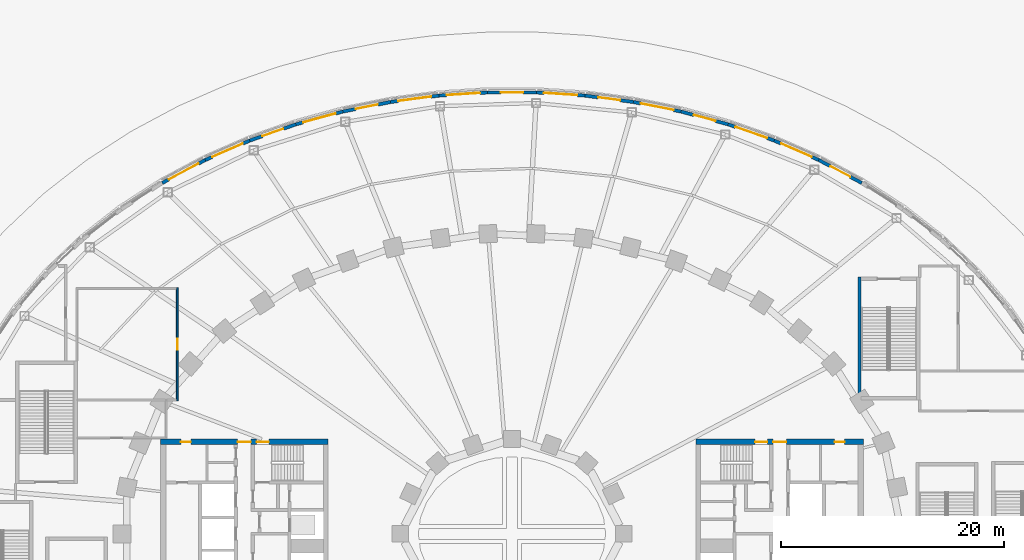
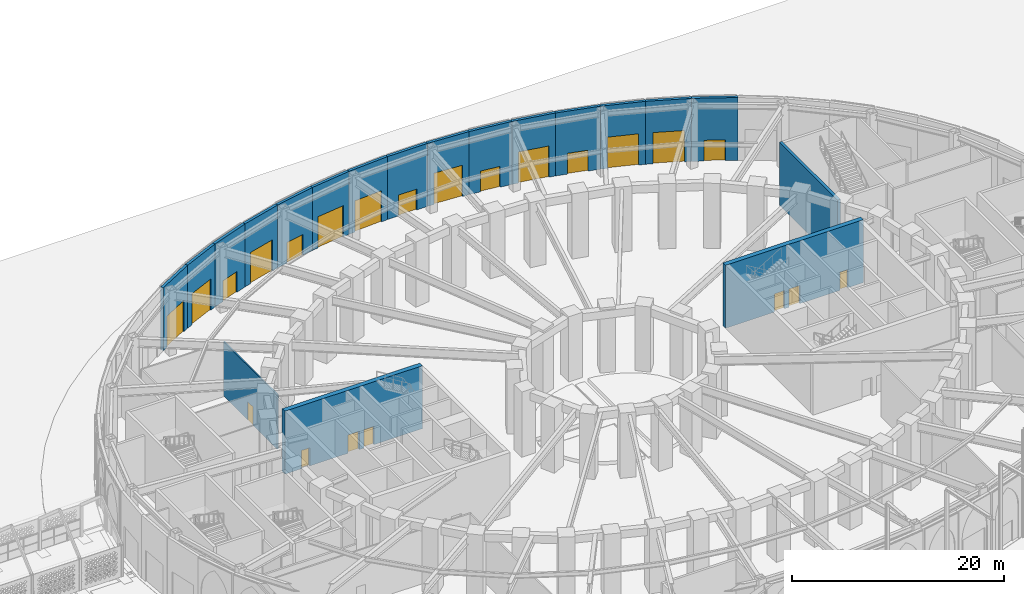
# One storey, part 47 of 79: 19 walls, 13 doors, 9 windows, 22 openings.
"""IFC4 building model written with IfcOpenShell, lengths in metres."""

from ifc_helpers import new_model, si_unit, direction, frame, frame_2d, origin, place, context, subcontext, project, spatial, rectangle, extrude, material, layer, layer_set, type_object, element, fill, save


model = new_model("IFC4")

# Units and contexts
model_context = context("Model", 3, precision=1e-05, world=origin(), true_north=direction((0.0, 1.0)))
body_context = subcontext(model_context, "Body", "Model", "MODEL_VIEW")
ifc_project = project(units=[si_unit("LENGTHUNIT", "METRE"), si_unit("AREAUNIT", "SQUARE_METRE"), si_unit("VOLUMEUNIT", "CUBIC_METRE"), si_unit("PLANEANGLEUNIT", "RADIAN"), si_unit("MASSUNIT", "GRAM", prefix="KILO")], contexts=[model_context])

# Site, building, storey
site_placement = place(None, origin())
site = spatial("IfcSite", under=ifc_project, at=site_placement, CompositionType="ELEMENT")
building_placement = place(site_placement, origin())
building = spatial("IfcBuilding", under=site, at=building_placement, Name="Noorbagh Ring Tower", CompositionType="ELEMENT")
storey_placement = place(building_placement, origin())
storey = spatial("IfcBuildingStorey", under=building, at=storey_placement, Name="L00", CompositionType="ELEMENT", Elevation=0.0)

# Wall, openings, doors
ifc_material_1 = material(Name="Concrete C70/85", Category="concrete")
ifc_layer_1 = layer(ifc_material_1, 0.5)
ifc_layer_set_1 = layer_set([ifc_layer_1], Name="Concrete C70/85")
wall_type_1 = type_object("IfcWallType", Name="CORE-WALL-500-C70-85-EI240", PredefinedType="SHEAR", material=ifc_layer_set_1)
wall_1_placement = place(storey_placement, frame((-16.5, 8.25, 0.0), z_axis=(0.0, 0.0, 1.0), x_axis=(-1.0, 0.0, 0.0)))
wall_1 = element("IfcWall", 1, at=wall_1_placement, inside=storey, type_object=wall_type_1, Name="Core wall W", PredefinedType="SHEAR", context=body_context, shape_type="SweptSolid", body=[
    extrude(rectangle(XDim=15.0, YDim=0.5, at=frame_2d((7.5, 0.0))), origin(), (0.0, 0.0, 1.0), 7.25),
])
opening_1_placement = place(wall_1_placement, frame((6.89990234375, 0.0, 0.0)))
opening_1 = element("IfcOpeningElement", 2, at=opening_1_placement, cuts=wall_1, Name="Opening L00-CW11", PredefinedType="OPENING", context=body_context, shape_type="SweptSolid", body=[
    extrude(rectangle(XDim=1.199951171875, YDim=2.10009765625, at=frame_2d((0.60009765625, 1.050048828125))), frame((0.0, 0.260009765625, 0.0), z_axis=(0.0, -1.0, 0.0), x_axis=(1.0, 0.0, 0.0)), (0.0, 0.0, 1.0), 0.52001953125),
])
opening_2_placement = place(wall_1_placement, frame((5.300048828125, 0.0, 0.0)))
opening_2 = element("IfcOpeningElement", 3, at=opening_2_placement, cuts=wall_1, Name="Opening L00-CW13", PredefinedType="OPENING", context=body_context, shape_type="SweptSolid", body=[
    extrude(rectangle(XDim=1.10009765625, YDim=2.10009765625, at=frame_2d((0.550048828125, 1.050048828125))), frame((0.0, 0.260009765625, 0.0), z_axis=(0.0, -1.0, 0.0), x_axis=(1.0, 0.0, 0.0)), (0.0, 0.0, 1.0), 0.52001953125),
])
opening_3_placement = place(wall_1_placement, frame((12.27490234375, 0.0, 0.0)))
opening_3 = element("IfcOpeningElement", 4, at=opening_3_placement, cuts=wall_1, Name="Opening L00-CW18", PredefinedType="OPENING", context=body_context, shape_type="SweptSolid", body=[
    extrude(rectangle(XDim=0.89990234375, YDim=2.10009765625, at=frame_2d((0.449951171875, 1.050048828125))), frame((0.0, 0.260009765625, 0.0), z_axis=(0.0, -1.0, 0.0), x_axis=(1.0, 0.0, 0.0)), (0.0, 0.0, 1.0), 0.52001953125),
])
ifc_material_2 = material(Name="Steel door leaf", Category="steel")
door_type_1 = type_object("IfcDoorType", Name="CORE-DOOR-DEXIT", OperationType="SINGLE_SWING_LEFT", PredefinedType="DOOR", material=ifc_material_2)
door_1_placement = place(opening_2_placement, origin())
door_1 = element("IfcDoor", 5, at=door_1_placement, inside=storey, type_object=door_type_1, Name="Exit ST1 L00-CW13", OperationType="SINGLE_SWING_LEFT", OverallHeight=2.10009765625, OverallWidth=1.10009765625, PredefinedType="DOOR", context=body_context, shape_type="SweptSolid", body=[
    extrude(rectangle(XDim=1.10009765625, YDim=2.10009765625, at=frame_2d((0.550048828125, 1.050048828125))), frame((0.0, 0.02490234375, 0.0), z_axis=(0.0, -1.0, 0.0), x_axis=(1.0, 0.0, 0.0)), (0.0, 0.0, 1.0), 0.050048828125),
])
fill(opening_2, door_1)
ifc_material_3 = material(Name="Steel door leaf", Category="steel")
door_type_2 = type_object("IfcDoorType", Name="CORE-DOOR-DROOM", OperationType="SINGLE_SWING_LEFT", PredefinedType="DOOR", material=ifc_material_3)
door_2_placement = place(opening_3_placement, origin())
door_2 = element("IfcDoor", 6, at=door_2_placement, inside=storey, type_object=door_type_2, Name="Core room door L00-CW18", OperationType="SINGLE_SWING_RIGHT", OverallHeight=2.10009765625, OverallWidth=0.89990234375, PredefinedType="DOOR", context=body_context, shape_type="SweptSolid", body=[
    extrude(rectangle(XDim=0.89990234375, YDim=2.10009765625, at=frame_2d((0.449951171875, 1.050048828125))), frame((0.0, 0.02490234375, 0.0), z_axis=(0.0, -1.0, 0.0), x_axis=(1.0, 0.0, 0.0)), (0.0, 0.0, 1.0), 0.050048828125),
])
fill(opening_3, door_2)
ifc_material_4 = material(Name="Steel door leaf", Category="steel")
door_type_3 = type_object("IfcDoorType", Name="CORE-DOOR-PORT", OperationType="DOUBLE_DOOR_DOUBLE_SWING", PredefinedType="DOOR", material=ifc_material_4)
door_3_placement = place(opening_1_placement, origin())
door_3 = element("IfcDoor", 7, at=door_3_placement, inside=storey, type_object=door_type_3, Name="Core entrance door L00-CW11", OperationType="DOUBLE_DOOR_DOUBLE_SWING", OverallHeight=2.10009765625, OverallWidth=1.199951171875, PredefinedType="DOOR", context=body_context, shape_type="SweptSolid", body=[
    extrude(rectangle(XDim=1.199951171875, YDim=2.10009765625, at=frame_2d((0.60009765625, 1.050048828125))), frame((0.0, 0.02490234375, 0.0), z_axis=(0.0, -1.0, 0.0), x_axis=(1.0, 0.0, 0.0)), (0.0, 0.0, 1.0), 0.050048828125),
])
fill(opening_1, door_3)

wall_2_placement = place(storey_placement, frame((16.5, 8.25, 0.0), z_axis=(0.0, 0.0, 1.0), x_axis=(1.0, 0.0, 0.0)))
wall_2 = element("IfcWall", 8, at=wall_2_placement, inside=storey, type_object=wall_type_1, Name="Core wall E", PredefinedType="SHEAR", context=body_context, shape_type="SweptSolid", body=[
    extrude(rectangle(XDim=15.0, YDim=0.5, at=frame_2d((7.5, 0.0))), origin(), (0.0, 0.0, 1.0), 7.25),
])
opening_4_placement = place(wall_2_placement, frame((6.89990234375, 0.0, 0.0)))
opening_4 = element("IfcOpeningElement", 9, at=opening_4_placement, cuts=wall_2, Name="Opening L00-CE09", PredefinedType="OPENING", context=body_context, shape_type="SweptSolid", body=[
    extrude(rectangle(XDim=1.199951171875, YDim=2.10009765625, at=frame_2d((0.60009765625, 1.050048828125))), frame((0.0, 0.260009765625, 0.0), z_axis=(0.0, -1.0, 0.0), x_axis=(1.0, 0.0, 0.0)), (0.0, 0.0, 1.0), 0.52001953125),
])
opening_5_placement = place(wall_2_placement, frame((5.300048828125, 0.0, 0.0)))
opening_5 = element("IfcOpeningElement", 10, at=opening_5_placement, cuts=wall_2, Name="Opening L00-CE11", PredefinedType="OPENING", context=body_context, shape_type="SweptSolid", body=[
    extrude(rectangle(XDim=1.10009765625, YDim=2.10009765625, at=frame_2d((0.550048828125, 1.050048828125))), frame((0.0, 0.260009765625, 0.0), z_axis=(0.0, -1.0, 0.0), x_axis=(1.0, 0.0, 0.0)), (0.0, 0.0, 1.0), 0.52001953125),
])
opening_6_placement = place(wall_2_placement, frame((12.425048828125, 0.0, 0.0)))
opening_6 = element("IfcOpeningElement", 11, at=opening_6_placement, cuts=wall_2, Name="Opening L00-CE17", PredefinedType="OPENING", context=body_context, shape_type="SweptSolid", body=[
    extrude(rectangle(XDim=0.89990234375, YDim=2.10009765625, at=frame_2d((0.449951171875, 1.050048828125))), frame((0.0, 0.260009765625, 0.0), z_axis=(0.0, -1.0, 0.0), x_axis=(1.0, 0.0, 0.0)), (0.0, 0.0, 1.0), 0.52001953125),
])
door_4_placement = place(opening_5_placement, origin())
door_4 = element("IfcDoor", 12, at=door_4_placement, inside=storey, type_object=door_type_1, Name="Exit ST3 L00-CE11", OperationType="SINGLE_SWING_RIGHT", OverallHeight=2.10009765625, OverallWidth=1.10009765625, PredefinedType="DOOR", context=body_context, shape_type="SweptSolid", body=[
    extrude(rectangle(XDim=1.10009765625, YDim=2.10009765625, at=frame_2d((0.550048828125, 1.050048828125))), frame((0.0, 0.02490234375, 0.0), z_axis=(0.0, -1.0, 0.0), x_axis=(1.0, 0.0, 0.0)), (0.0, 0.0, 1.0), 0.050048828125),
])
fill(opening_5, door_4)
door_5_placement = place(opening_6_placement, origin())
door_5 = element("IfcDoor", 13, at=door_5_placement, inside=storey, type_object=door_type_2, Name="Core room door L00-CE17", OperationType="SINGLE_SWING_LEFT", OverallHeight=2.10009765625, OverallWidth=0.89990234375, PredefinedType="DOOR", context=body_context, shape_type="SweptSolid", body=[
    extrude(rectangle(XDim=0.89990234375, YDim=2.10009765625, at=frame_2d((0.449951171875, 1.050048828125))), frame((0.0, 0.02490234375, 0.0), z_axis=(0.0, -1.0, 0.0), x_axis=(1.0, 0.0, 0.0)), (0.0, 0.0, 1.0), 0.050048828125),
])
fill(opening_6, door_5)
door_6_placement = place(opening_4_placement, origin())
door_6 = element("IfcDoor", 14, at=door_6_placement, inside=storey, type_object=door_type_3, Name="Core entrance door L00-CE09", OperationType="DOUBLE_DOOR_DOUBLE_SWING", OverallHeight=2.10009765625, OverallWidth=1.199951171875, PredefinedType="DOOR", context=body_context, shape_type="SweptSolid", body=[
    extrude(rectangle(XDim=1.199951171875, YDim=2.10009765625, at=frame_2d((0.60009765625, 1.050048828125))), frame((0.0, 0.02490234375, 0.0), z_axis=(0.0, -1.0, 0.0), x_axis=(1.0, 0.0, 0.0)), (0.0, 0.0, 1.0), 0.050048828125),
])
fill(opening_4, door_6)

# Wall, opening, door
ifc_material_5 = material(Name="Blockwork faced with red sandstone", Category="masonry")
ifc_layer_2 = layer(ifc_material_5, 0.300048828125)
ifc_layer_set_2 = layer_set([ifc_layer_2], Name="Blockwork faced with red sandstone")
wall_type_2 = type_object("IfcWallType", Name="GND-ENV-WALL", PredefinedType="SOLIDWALL", material=ifc_layer_set_2)
wall_3_placement = place(storey_placement, frame((31.3515625, 31.448486328125, 0.0), z_axis=(0.0, 0.0, 1.0), x_axis=(-0.882159305704, 0.47095112205, 0.0)))
wall_3 = element("IfcWall", 15, at=wall_3_placement, inside=storey, type_object=wall_type_2, Name="Podium wall", PredefinedType="SOLIDWALL", context=body_context, shape_type="SweptSolid", body=[
    extrude(rectangle(XDim=4.364501953125, YDim=0.300048828125, at=frame_2d((2.18212890625, 0.0))), origin(), (0.0, 0.0, 1.0), 7.25),
])
opening_7_placement = place(wall_3_placement, frame((1.18212890625, 0.0, 0.0)))
opening_7 = element("IfcOpeningElement", 16, at=opening_7_placement, cuts=wall_3, Name="Opening GD13", PredefinedType="OPENING", context=body_context, shape_type="SweptSolid", body=[
    extrude(rectangle(XDim=2.0, YDim=2.39990234375, at=frame_2d((1.0, 1.199951171875))), frame((0.0, 0.16015625, 0.0), z_axis=(0.0, -1.0, 0.0), x_axis=(1.0, 0.0, 0.0)), (0.0, 0.0, 1.0), 0.320068359375),
])
ifc_material_6 = material(Name="Aluminium and glass", Category="aluminium")
door_type_4 = type_object("IfcDoorType", Name="GND-DOOR-EXIT", OperationType="DOUBLE_DOOR_SINGLE_SWING", PredefinedType="DOOR", material=ifc_material_6)
door_7_placement = place(opening_7_placement, frame((2.0, 0.0, 0.0), z_axis=(0.0, 0.0, 1.0), x_axis=(-1.0, 0.0, 0.0)))
door_7 = element("IfcDoor", 17, at=door_7_placement, inside=storey, type_object=door_type_4, Name="Exit door FX05", OperationType="DOUBLE_DOOR_SINGLE_SWING", OverallHeight=2.39990234375, OverallWidth=2.0, PredefinedType="DOOR", context=body_context, shape_type="SweptSolid", body=[
    extrude(rectangle(XDim=2.0, YDim=2.39990234375, at=frame_2d((1.0, 1.199951171875))), frame((0.0, 0.025146484375, 0.0), z_axis=(0.0, -1.0, 0.0), x_axis=(1.0, 0.0, 0.0)), (0.0, 0.0, 1.0), 0.050048828125),
])
fill(opening_7, door_7)

# Wall, opening, window
wall_4_placement = place(storey_placement, frame((27.50146484375, 33.50390625, 0.0), z_axis=(0.0, 0.0, 1.0), x_axis=(-0.916336904548, 0.400408138483, 0.0)))
wall_4 = element("IfcWall", 18, at=wall_4_placement, inside=storey, type_object=wall_type_2, Name="Podium wall", PredefinedType="SOLIDWALL", context=body_context, shape_type="SweptSolid", body=[
    extrude(rectangle(XDim=4.3662109375, YDim=0.300048828125, at=frame_2d((2.18310546875, 0.0))), origin(), (0.0, 0.0, 1.0), 7.25),
])
opening_8_placement = place(wall_4_placement, frame((0.68310546875, 0.0, 0.0)))
opening_8 = element("IfcOpeningElement", 19, at=opening_8_placement, cuts=wall_4, Name="Opening GWN2", PredefinedType="OPENING", context=body_context, shape_type="SweptSolid", body=[
    extrude(rectangle(XDim=3.0, YDim=3.60009765625, at=frame_2d((1.5, 1.800048828125))), frame((0.0, 0.16015625, 0.0), z_axis=(0.0, -1.0, 0.0), x_axis=(1.0, 0.0, 0.0)), (0.0, 0.0, 1.0), 0.320068359375),
])
ifc_material_7 = material(Name="Aluminium and glass", Category="aluminium")
window_type = type_object("IfcWindowType", Name="GND-ENV-SHOPFRONT", PartitioningType="SINGLE_PANEL", PredefinedType="WINDOW", material=ifc_material_7)
window_1_placement = place(opening_8_placement, origin())
window_1 = element("IfcWindow", 20, at=window_1_placement, inside=storey, type_object=window_type, Name="L00 podium window", OverallHeight=3.60009765625, OverallWidth=3.0, PartitioningType="SINGLE_PANEL", PredefinedType="WINDOW", context=body_context, shape_type="SweptSolid", body=[
    extrude(rectangle(XDim=3.0, YDim=3.60009765625, at=frame_2d((1.5, 1.800048828125))), frame((0.0, 0.030029296875, 0.0), z_axis=(0.0, -1.0, 0.0), x_axis=(1.0, 0.0, 0.0)), (0.0, 0.0, 1.0), 0.06005859375),
])
fill(opening_8, window_1)

wall_5_placement = place(storey_placement, frame((23.50048828125, 35.252197265625, 0.0), z_axis=(0.0, 0.0, 1.0), x_axis=(-0.943526738033, 0.331296384853, 0.0)))
wall_5 = element("IfcWall", 21, at=wall_5_placement, inside=storey, type_object=wall_type_2, Name="Podium wall", PredefinedType="SOLIDWALL", context=body_context, shape_type="SweptSolid", body=[
    extrude(rectangle(XDim=4.36767578125, YDim=0.300048828125, at=frame_2d((2.183837890625, 0.0))), origin(), (0.0, 0.0, 1.0), 7.25),
])
opening_9_placement = place(wall_5_placement, frame((0.683837890625, 0.0, 0.0)))
opening_9 = element("IfcOpeningElement", 22, at=opening_9_placement, cuts=wall_5, Name="Opening GWN2", PredefinedType="OPENING", context=body_context, shape_type="SweptSolid", body=[
    extrude(rectangle(XDim=3.0, YDim=3.60009765625, at=frame_2d((1.5, 1.800048828125))), frame((0.0, 0.16015625, 0.0), z_axis=(0.0, -1.0, 0.0), x_axis=(1.0, 0.0, 0.0)), (0.0, 0.0, 1.0), 0.320068359375),
])
window_2_placement = place(opening_9_placement, origin())
window_2 = element("IfcWindow", 23, at=window_2_placement, inside=storey, type_object=window_type, Name="L00 podium window", OverallHeight=3.60009765625, OverallWidth=3.0, PartitioningType="SINGLE_PANEL", PredefinedType="WINDOW", context=body_context, shape_type="SweptSolid", body=[
    extrude(rectangle(XDim=3.0, YDim=3.60009765625, at=frame_2d((1.5, 1.800048828125))), frame((0.0, 0.030029296875, 0.0), z_axis=(0.0, -1.0, 0.0), x_axis=(1.0, 0.0, 0.0)), (0.0, 0.0, 1.0), 0.06005859375),
])
fill(opening_9, window_2)

# Wall, opening, door
wall_6_placement = place(storey_placement, frame((19.37939453125, 36.69921875, 0.0), z_axis=(0.0, 0.0, 1.0), x_axis=(-0.964679950239, 0.263424739931, 0.0)))
wall_6 = element("IfcWall", 24, at=wall_6_placement, inside=storey, type_object=wall_type_2, Name="Podium wall", PredefinedType="SOLIDWALL", context=body_context, shape_type="SweptSolid", body=[
    extrude(rectangle(XDim=4.368896484375, YDim=0.300048828125, at=frame_2d((2.1845703125, 0.0))), origin(), (0.0, 0.0, 1.0), 7.25),
])
opening_10_placement = place(wall_6_placement, frame((1.1845703125, 0.0, 0.0)))
opening_10 = element("IfcOpeningElement", 25, at=opening_10_placement, cuts=wall_6, Name="Opening GD13", PredefinedType="OPENING", context=body_context, shape_type="SweptSolid", body=[
    extrude(rectangle(XDim=2.0, YDim=2.39990234375, at=frame_2d((1.0, 1.199951171875))), frame((0.0, 0.16015625, 0.0), z_axis=(0.0, -1.0, 0.0), x_axis=(1.0, 0.0, 0.0)), (0.0, 0.0, 1.0), 0.320068359375),
])
door_8_placement = place(opening_10_placement, frame((2.0, 0.0, 0.0), z_axis=(0.0, 0.0, 1.0), x_axis=(-1.0, 0.0, 0.0)))
door_8 = element("IfcDoor", 26, at=door_8_placement, inside=storey, type_object=door_type_4, Name="Exit door FX06", OperationType="DOUBLE_DOOR_SINGLE_SWING", OverallHeight=2.39990234375, OverallWidth=2.0, PredefinedType="DOOR", context=body_context, shape_type="SweptSolid", body=[
    extrude(rectangle(XDim=2.0, YDim=2.39990234375, at=frame_2d((1.0, 1.199951171875))), frame((0.0, 0.025146484375, 0.0), z_axis=(0.0, -1.0, 0.0), x_axis=(1.0, 0.0, 0.0)), (0.0, 0.0, 1.0), 0.050048828125),
])
fill(opening_10, door_8)

# Wall, opening, window
wall_7_placement = place(storey_placement, frame((15.164794921875, 37.85009765625, 0.0), z_axis=(0.0, 0.0, 1.0), x_axis=(-0.980494629762, 0.196545875071, 0.0)))
wall_7 = element("IfcWall", 27, at=wall_7_placement, inside=storey, type_object=wall_type_2, Name="Podium wall", PredefinedType="SOLIDWALL", context=body_context, shape_type="SweptSolid", body=[
    extrude(rectangle(XDim=4.369873046875, YDim=0.300048828125, at=frame_2d((2.18505859375, 0.0))), origin(), (0.0, 0.0, 1.0), 7.25),
])
opening_11_placement = place(wall_7_placement, frame((0.684814453125, 0.0, 0.0)))
opening_11 = element("IfcOpeningElement", 28, at=opening_11_placement, cuts=wall_7, Name="Opening GWN2", PredefinedType="OPENING", context=body_context, shape_type="SweptSolid", body=[
    extrude(rectangle(XDim=3.0, YDim=3.60009765625, at=frame_2d((1.5, 1.800048828125))), frame((0.0, 0.16015625, 0.0), z_axis=(0.0, -1.0, 0.0), x_axis=(1.0, 0.0, 0.0)), (0.0, 0.0, 1.0), 0.320068359375),
])
window_3_placement = place(opening_11_placement, origin())
window_3 = element("IfcWindow", 29, at=window_3_placement, inside=storey, type_object=window_type, Name="L00 podium window", OverallHeight=3.60009765625, OverallWidth=3.0, PartitioningType="SINGLE_PANEL", PredefinedType="WINDOW", context=body_context, shape_type="SweptSolid", body=[
    extrude(rectangle(XDim=3.0, YDim=3.60009765625, at=frame_2d((1.5, 1.800048828125))), frame((0.0, 0.030029296875, 0.0), z_axis=(0.0, -1.0, 0.0), x_axis=(1.0, 0.0, 0.0)), (0.0, 0.0, 1.0), 0.06005859375),
])
fill(opening_11, window_3)

# Wall, opening, door
wall_8_placement = place(storey_placement, frame((10.880126953125, 38.708984375, 0.0), z_axis=(0.0, 0.0, 1.0), x_axis=(-0.991441741932, 0.130549884544, 0.0)))
wall_8 = element("IfcWall", 30, at=wall_8_placement, inside=storey, type_object=wall_type_2, Name="Podium wall", PredefinedType="SOLIDWALL", context=body_context, shape_type="SweptSolid", body=[
    extrude(rectangle(XDim=4.370361328125, YDim=0.300048828125, at=frame_2d((2.18505859375, 0.0))), origin(), (0.0, 0.0, 1.0), 7.25),
])
opening_12_placement = place(wall_8_placement, frame((1.185302734375, 0.0, 0.0)))
opening_12 = element("IfcOpeningElement", 31, at=opening_12_placement, cuts=wall_8, Name="Opening GD13", PredefinedType="OPENING", context=body_context, shape_type="SweptSolid", body=[
    extrude(rectangle(XDim=2.0, YDim=2.39990234375, at=frame_2d((1.0, 1.199951171875))), frame((0.0, 0.16015625, 0.0), z_axis=(0.0, -1.0, 0.0), x_axis=(1.0, 0.0, 0.0)), (0.0, 0.0, 1.0), 0.320068359375),
])
door_9_placement = place(opening_12_placement, frame((2.0, 0.0, 0.0), z_axis=(0.0, 0.0, 1.0), x_axis=(-1.0, 0.0, 0.0)))
door_9 = element("IfcDoor", 32, at=door_9_placement, inside=storey, type_object=door_type_4, Name="Exit door FX07", OperationType="DOUBLE_DOOR_SINGLE_SWING", OverallHeight=2.39990234375, OverallWidth=2.0, PredefinedType="DOOR", context=body_context, shape_type="SweptSolid", body=[
    extrude(rectangle(XDim=2.0, YDim=2.39990234375, at=frame_2d((1.0, 1.199951171875))), frame((0.0, 0.025146484375, 0.0), z_axis=(0.0, -1.0, 0.0), x_axis=(1.0, 0.0, 0.0)), (0.0, 0.0, 1.0), 0.050048828125),
])
fill(opening_12, door_9)

# Wall, opening, window
wall_9_placement = place(storey_placement, frame((6.547119140625, 39.279541015625, 0.0), z_axis=(0.0, 0.0, 1.0), x_axis=(-0.997876871627, 0.065128711577, 0.0)))
wall_9 = element("IfcWall", 33, at=wall_9_placement, inside=storey, type_object=wall_type_2, Name="Podium wall", PredefinedType="SOLIDWALL", context=body_context, shape_type="SweptSolid", body=[
    extrude(rectangle(XDim=4.370849609375, YDim=0.300048828125, at=frame_2d((2.185546875, 0.0))), origin(), (0.0, 0.0, 1.0), 7.25),
])
opening_13_placement = place(wall_9_placement, frame((0.685302734375, 0.0, 0.0)))
opening_13 = element("IfcOpeningElement", 34, at=opening_13_placement, cuts=wall_9, Name="Opening GWN2", PredefinedType="OPENING", context=body_context, shape_type="SweptSolid", body=[
    extrude(rectangle(XDim=3.0, YDim=3.60009765625, at=frame_2d((1.5, 1.800048828125))), frame((0.0, 0.16015625, 0.0), z_axis=(0.0, -1.0, 0.0), x_axis=(1.0, 0.0, 0.0)), (0.0, 0.0, 1.0), 0.320068359375),
])
window_4_placement = place(opening_13_placement, origin())
window_4 = element("IfcWindow", 35, at=window_4_placement, inside=storey, type_object=window_type, Name="L00 podium window", OverallHeight=3.60009765625, OverallWidth=3.0, PartitioningType="SINGLE_PANEL", PredefinedType="WINDOW", context=body_context, shape_type="SweptSolid", body=[
    extrude(rectangle(XDim=3.0, YDim=3.60009765625, at=frame_2d((1.5, 1.800048828125))), frame((0.0, 0.030029296875, 0.0), z_axis=(0.0, -1.0, 0.0), x_axis=(1.0, 0.0, 0.0)), (0.0, 0.0, 1.0), 0.06005859375),
])
fill(opening_13, window_4)

# Wall, opening, door
wall_10_placement = place(storey_placement, frame((2.185546875, 39.564208984375, 0.0), z_axis=(0.0, 0.0, 1.0), x_axis=(-1.0, 0.0, 0.0)))
wall_10 = element("IfcWall", 36, at=wall_10_placement, inside=storey, type_object=wall_type_2, Name="Podium wall", PredefinedType="SOLIDWALL", context=body_context, shape_type="SweptSolid", body=[
    extrude(rectangle(XDim=4.37109375, YDim=0.300048828125, at=frame_2d((2.185546875, 0.0))), origin(), (0.0, 0.0, 1.0), 7.25),
])
opening_14_placement = place(wall_10_placement, frame((1.185546875, 0.0, 0.0)))
opening_14 = element("IfcOpeningElement", 37, at=opening_14_placement, cuts=wall_10, Name="Opening GD13", PredefinedType="OPENING", context=body_context, shape_type="SweptSolid", body=[
    extrude(rectangle(XDim=2.0, YDim=2.39990234375, at=frame_2d((1.0, 1.199951171875))), frame((0.0, 0.16015625, 0.0), z_axis=(0.0, -1.0, 0.0), x_axis=(1.0, 0.0, 0.0)), (0.0, 0.0, 1.0), 0.320068359375),
])
door_10_placement = place(opening_14_placement, frame((2.0, 0.0, 0.0), z_axis=(0.0, 0.0, 1.0), x_axis=(-1.0, 0.0, 0.0)))
door_10 = element("IfcDoor", 38, at=door_10_placement, inside=storey, type_object=door_type_4, Name="Exit door FX08", OperationType="DOUBLE_DOOR_SINGLE_SWING", OverallHeight=2.39990234375, OverallWidth=2.0, PredefinedType="DOOR", context=body_context, shape_type="SweptSolid", body=[
    extrude(rectangle(XDim=2.0, YDim=2.39990234375, at=frame_2d((1.0, 1.199951171875))), frame((0.0, 0.025146484375, 0.0), z_axis=(0.0, -1.0, 0.0), x_axis=(1.0, 0.0, 0.0)), (0.0, 0.0, 1.0), 0.050048828125),
])
fill(opening_14, door_10)

# Wall, opening, window
wall_11_placement = place(storey_placement, frame((-2.185546875, 39.564208984375, 0.0), z_axis=(0.0, 0.0, 1.0), x_axis=(-0.997876871627, -0.065128711577, 0.0)))
wall_11 = element("IfcWall", 39, at=wall_11_placement, inside=storey, type_object=wall_type_2, Name="Podium wall", PredefinedType="SOLIDWALL", context=body_context, shape_type="SweptSolid", body=[
    extrude(rectangle(XDim=4.370849609375, YDim=0.300048828125, at=frame_2d((2.185546875, 0.0))), origin(), (0.0, 0.0, 1.0), 7.25),
])
opening_15_placement = place(wall_11_placement, frame((0.685302734375, 0.0, 0.0)))
opening_15 = element("IfcOpeningElement", 40, at=opening_15_placement, cuts=wall_11, Name="Opening GWN2", PredefinedType="OPENING", context=body_context, shape_type="SweptSolid", body=[
    extrude(rectangle(XDim=3.0, YDim=3.60009765625, at=frame_2d((1.5, 1.800048828125))), frame((0.0, 0.16015625, 0.0), z_axis=(0.0, -1.0, 0.0), x_axis=(1.0, 0.0, 0.0)), (0.0, 0.0, 1.0), 0.320068359375),
])
window_5_placement = place(opening_15_placement, origin())
window_5 = element("IfcWindow", 41, at=window_5_placement, inside=storey, type_object=window_type, Name="L00 podium window", OverallHeight=3.60009765625, OverallWidth=3.0, PartitioningType="SINGLE_PANEL", PredefinedType="WINDOW", context=body_context, shape_type="SweptSolid", body=[
    extrude(rectangle(XDim=3.0, YDim=3.60009765625, at=frame_2d((1.5, 1.800048828125))), frame((0.0, 0.030029296875, 0.0), z_axis=(0.0, -1.0, 0.0), x_axis=(1.0, 0.0, 0.0)), (0.0, 0.0, 1.0), 0.06005859375),
])
fill(opening_15, window_5)

wall_12_placement = place(storey_placement, frame((-6.547119140625, 39.279541015625, 0.0), z_axis=(0.0, 0.0, 1.0), x_axis=(-0.991441741932, -0.130549884544, 0.0)))
wall_12 = element("IfcWall", 42, at=wall_12_placement, inside=storey, type_object=wall_type_2, Name="Podium wall", PredefinedType="SOLIDWALL", context=body_context, shape_type="SweptSolid", body=[
    extrude(rectangle(XDim=4.370361328125, YDim=0.300048828125, at=frame_2d((2.18505859375, 0.0))), origin(), (0.0, 0.0, 1.0), 7.25),
])
opening_16_placement = place(wall_12_placement, frame((0.685302734375, 0.0, 0.0)))
opening_16 = element("IfcOpeningElement", 43, at=opening_16_placement, cuts=wall_12, Name="Opening GWN2", PredefinedType="OPENING", context=body_context, shape_type="SweptSolid", body=[
    extrude(rectangle(XDim=3.0, YDim=3.60009765625, at=frame_2d((1.5, 1.800048828125))), frame((0.0, 0.16015625, 0.0), z_axis=(0.0, -1.0, 0.0), x_axis=(1.0, 0.0, 0.0)), (0.0, 0.0, 1.0), 0.320068359375),
])
window_6_placement = place(opening_16_placement, origin())
window_6 = element("IfcWindow", 44, at=window_6_placement, inside=storey, type_object=window_type, Name="L00 podium window", OverallHeight=3.60009765625, OverallWidth=3.0, PartitioningType="SINGLE_PANEL", PredefinedType="WINDOW", context=body_context, shape_type="SweptSolid", body=[
    extrude(rectangle(XDim=3.0, YDim=3.60009765625, at=frame_2d((1.5, 1.800048828125))), frame((0.0, 0.030029296875, 0.0), z_axis=(0.0, -1.0, 0.0), x_axis=(1.0, 0.0, 0.0)), (0.0, 0.0, 1.0), 0.06005859375),
])
fill(opening_16, window_6)

# Wall, opening, door
wall_13_placement = place(storey_placement, frame((-10.880126953125, 38.708984375, 0.0), z_axis=(0.0, 0.0, 1.0), x_axis=(-0.980494629762, -0.196545875071, 0.0)))
wall_13 = element("IfcWall", 45, at=wall_13_placement, inside=storey, type_object=wall_type_2, Name="Podium wall", PredefinedType="SOLIDWALL", context=body_context, shape_type="SweptSolid", body=[
    extrude(rectangle(XDim=4.369873046875, YDim=0.300048828125, at=frame_2d((2.18505859375, 0.0))), origin(), (0.0, 0.0, 1.0), 7.25),
])
opening_17_placement = place(wall_13_placement, frame((1.184814453125, 0.0, 0.0)))
opening_17 = element("IfcOpeningElement", 46, at=opening_17_placement, cuts=wall_13, Name="Opening GD13", PredefinedType="OPENING", context=body_context, shape_type="SweptSolid", body=[
    extrude(rectangle(XDim=2.0, YDim=2.39990234375, at=frame_2d((1.0, 1.199951171875))), frame((0.0, 0.16015625, 0.0), z_axis=(0.0, -1.0, 0.0), x_axis=(1.0, 0.0, 0.0)), (0.0, 0.0, 1.0), 0.320068359375),
])
door_11_placement = place(opening_17_placement, frame((2.0, 0.0, 0.0), z_axis=(0.0, 0.0, 1.0), x_axis=(-1.0, 0.0, 0.0)))
door_11 = element("IfcDoor", 47, at=door_11_placement, inside=storey, type_object=door_type_4, Name="Exit door FX09", OperationType="DOUBLE_DOOR_SINGLE_SWING", OverallHeight=2.39990234375, OverallWidth=2.0, PredefinedType="DOOR", context=body_context, shape_type="SweptSolid", body=[
    extrude(rectangle(XDim=2.0, YDim=2.39990234375, at=frame_2d((1.0, 1.199951171875))), frame((0.0, 0.025146484375, 0.0), z_axis=(0.0, -1.0, 0.0), x_axis=(1.0, 0.0, 0.0)), (0.0, 0.0, 1.0), 0.050048828125),
])
fill(opening_17, door_11)

# Wall, opening, window
wall_14_placement = place(storey_placement, frame((-15.164794921875, 37.85009765625, 0.0), z_axis=(0.0, 0.0, 1.0), x_axis=(-0.964679950239, -0.263424739931, 0.0)))
wall_14 = element("IfcWall", 48, at=wall_14_placement, inside=storey, type_object=wall_type_2, Name="Podium wall", PredefinedType="SOLIDWALL", context=body_context, shape_type="SweptSolid", body=[
    extrude(rectangle(XDim=4.368896484375, YDim=0.300048828125, at=frame_2d((2.1845703125, 0.0))), origin(), (0.0, 0.0, 1.0), 7.25),
])
opening_18_placement = place(wall_14_placement, frame((0.6845703125, 0.0, 0.0)))
opening_18 = element("IfcOpeningElement", 49, at=opening_18_placement, cuts=wall_14, Name="Opening GWN2", PredefinedType="OPENING", context=body_context, shape_type="SweptSolid", body=[
    extrude(rectangle(XDim=3.0, YDim=3.60009765625, at=frame_2d((1.5, 1.800048828125))), frame((0.0, 0.16015625, 0.0), z_axis=(0.0, -1.0, 0.0), x_axis=(1.0, 0.0, 0.0)), (0.0, 0.0, 1.0), 0.320068359375),
])
window_7_placement = place(opening_18_placement, origin())
window_7 = element("IfcWindow", 50, at=window_7_placement, inside=storey, type_object=window_type, Name="L00 podium window", OverallHeight=3.60009765625, OverallWidth=3.0, PartitioningType="SINGLE_PANEL", PredefinedType="WINDOW", context=body_context, shape_type="SweptSolid", body=[
    extrude(rectangle(XDim=3.0, YDim=3.60009765625, at=frame_2d((1.5, 1.800048828125))), frame((0.0, 0.030029296875, 0.0), z_axis=(0.0, -1.0, 0.0), x_axis=(1.0, 0.0, 0.0)), (0.0, 0.0, 1.0), 0.06005859375),
])
fill(opening_18, window_7)

# Wall, opening, door
wall_15_placement = place(storey_placement, frame((-19.37939453125, 36.69921875, 0.0), z_axis=(0.0, 0.0, 1.0), x_axis=(-0.943526738033, -0.331296384853, 0.0)))
wall_15 = element("IfcWall", 51, at=wall_15_placement, inside=storey, type_object=wall_type_2, Name="Podium wall", PredefinedType="SOLIDWALL", context=body_context, shape_type="SweptSolid", body=[
    extrude(rectangle(XDim=4.36767578125, YDim=0.300048828125, at=frame_2d((2.183837890625, 0.0))), origin(), (0.0, 0.0, 1.0), 7.25),
])
opening_19_placement = place(wall_15_placement, frame((1.183837890625, 0.0, 0.0)))
opening_19 = element("IfcOpeningElement", 52, at=opening_19_placement, cuts=wall_15, Name="Opening GD13", PredefinedType="OPENING", context=body_context, shape_type="SweptSolid", body=[
    extrude(rectangle(XDim=2.0, YDim=2.39990234375, at=frame_2d((1.0, 1.199951171875))), frame((0.0, 0.16015625, 0.0), z_axis=(0.0, -1.0, 0.0), x_axis=(1.0, 0.0, 0.0)), (0.0, 0.0, 1.0), 0.320068359375),
])
door_12_placement = place(opening_19_placement, frame((2.0, 0.0, 0.0), z_axis=(0.0, 0.0, 1.0), x_axis=(-1.0, 0.0, 0.0)))
door_12 = element("IfcDoor", 53, at=door_12_placement, inside=storey, type_object=door_type_4, Name="Exit door FX10", OperationType="DOUBLE_DOOR_SINGLE_SWING", OverallHeight=2.39990234375, OverallWidth=2.0, PredefinedType="DOOR", context=body_context, shape_type="SweptSolid", body=[
    extrude(rectangle(XDim=2.0, YDim=2.39990234375, at=frame_2d((1.0, 1.199951171875))), frame((0.0, 0.025146484375, 0.0), z_axis=(0.0, -1.0, 0.0), x_axis=(1.0, 0.0, 0.0)), (0.0, 0.0, 1.0), 0.050048828125),
])
fill(opening_19, door_12)

# Wall, opening, window
wall_16_placement = place(storey_placement, frame((-23.50048828125, 35.252197265625, 0.0), z_axis=(0.0, 0.0, 1.0), x_axis=(-0.916336904548, -0.400408138483, 0.0)))
wall_16 = element("IfcWall", 54, at=wall_16_placement, inside=storey, type_object=wall_type_2, Name="Podium wall", PredefinedType="SOLIDWALL", context=body_context, shape_type="SweptSolid", body=[
    extrude(rectangle(XDim=4.3662109375, YDim=0.300048828125, at=frame_2d((2.18310546875, 0.0))), origin(), (0.0, 0.0, 1.0), 7.25),
])
opening_20_placement = place(wall_16_placement, frame((0.68310546875, 0.0, 0.0)))
opening_20 = element("IfcOpeningElement", 55, at=opening_20_placement, cuts=wall_16, Name="Opening GWN2", PredefinedType="OPENING", context=body_context, shape_type="SweptSolid", body=[
    extrude(rectangle(XDim=3.0, YDim=3.60009765625, at=frame_2d((1.5, 1.800048828125))), frame((0.0, 0.16015625, 0.0), z_axis=(0.0, -1.0, 0.0), x_axis=(1.0, 0.0, 0.0)), (0.0, 0.0, 1.0), 0.320068359375),
])
window_8_placement = place(opening_20_placement, origin())
window_8 = element("IfcWindow", 56, at=window_8_placement, inside=storey, type_object=window_type, Name="L00 podium window", OverallHeight=3.60009765625, OverallWidth=3.0, PartitioningType="SINGLE_PANEL", PredefinedType="WINDOW", context=body_context, shape_type="SweptSolid", body=[
    extrude(rectangle(XDim=3.0, YDim=3.60009765625, at=frame_2d((1.5, 1.800048828125))), frame((0.0, 0.030029296875, 0.0), z_axis=(0.0, -1.0, 0.0), x_axis=(1.0, 0.0, 0.0)), (0.0, 0.0, 1.0), 0.06005859375),
])
fill(opening_20, window_8)

wall_17_placement = place(storey_placement, frame((-27.50146484375, 33.50390625, 0.0), z_axis=(0.0, 0.0, 1.0), x_axis=(-0.882159305704, -0.47095112205, 0.0)))
wall_17 = element("IfcWall", 57, at=wall_17_placement, inside=storey, type_object=wall_type_2, Name="Podium wall", PredefinedType="SOLIDWALL", context=body_context, shape_type="SweptSolid", body=[
    extrude(rectangle(XDim=4.364501953125, YDim=0.300048828125, at=frame_2d((2.18212890625, 0.0))), origin(), (0.0, 0.0, 1.0), 7.25),
])
opening_21_placement = place(wall_17_placement, frame((0.68212890625, 0.0, 0.0)))
opening_21 = element("IfcOpeningElement", 58, at=opening_21_placement, cuts=wall_17, Name="Opening GWN2", PredefinedType="OPENING", context=body_context, shape_type="SweptSolid", body=[
    extrude(rectangle(XDim=3.0, YDim=3.60009765625, at=frame_2d((1.5, 1.800048828125))), frame((0.0, 0.16015625, 0.0), z_axis=(0.0, -1.0, 0.0), x_axis=(1.0, 0.0, 0.0)), (0.0, 0.0, 1.0), 0.320068359375),
])
window_9_placement = place(opening_21_placement, origin())
window_9 = element("IfcWindow", 59, at=window_9_placement, inside=storey, type_object=window_type, Name="L00 podium window", OverallHeight=3.60009765625, OverallWidth=3.0, PartitioningType="SINGLE_PANEL", PredefinedType="WINDOW", context=body_context, shape_type="SweptSolid", body=[
    extrude(rectangle(XDim=3.0, YDim=3.60009765625, at=frame_2d((1.5, 1.800048828125))), frame((0.0, 0.030029296875, 0.0), z_axis=(0.0, -1.0, 0.0), x_axis=(1.0, 0.0, 0.0)), (0.0, 0.0, 1.0), 0.06005859375),
])
fill(opening_21, window_9)

# Wall, opening, door
ifc_material_8 = material(Name="Gypsum board on steel studs", Category="steel")
ifc_layer_3 = layer(ifc_material_8, 0.14990234375)
ifc_layer_set_3 = layer_set([ifc_layer_3], Name="Gypsum board on steel studs")
wall_type_3 = type_object("IfcWallType", Name="GND-PART-150", PredefinedType="PARTITIONING", material=ifc_layer_set_3)
wall_18_placement = place(storey_placement, frame((-30.0, 22.074951171875, 0.0), z_axis=(0.0, 0.0, 1.0), x_axis=(0.0, -1.0, 0.0)))
wall_18 = element("IfcWall", 60, at=wall_18_placement, inside=storey, type_object=wall_type_3, Name="L00/wall/P027", PredefinedType="PARTITIONING", context=body_context, shape_type="SweptSolid", body=[
    extrude(rectangle(XDim=10.14990234375, YDim=0.14990234375, at=frame_2d((5.074951171875, 0.0))), origin(), (0.0, 0.0, 1.0), 6.25),
])
opening_22_placement = place(wall_18_placement, frame((4.574951171875, 0.0, 0.0)))
opening_22 = element("IfcOpeningElement", 61, at=opening_22_placement, cuts=wall_18, Name="Opening GD6", PredefinedType="OPENING", context=body_context, shape_type="SweptSolid", body=[
    extrude(rectangle(XDim=1.0, YDim=2.10009765625, at=frame_2d((0.5, 1.050048828125))), frame((0.0, 0.0849609375, 0.0), z_axis=(0.0, -1.0, 0.0), x_axis=(1.0, 0.0, 0.0)), (0.0, 0.0, 1.0), 0.169921875),
])
ifc_material_9 = material(Name="Timber", Category="wood")
door_type_5 = type_object("IfcDoorType", Name="GND-DOOR-HALL", OperationType="SINGLE_SWING_LEFT", PredefinedType="DOOR", material=ifc_material_9)
door_13_placement = place(opening_22_placement, origin())
door_13 = element("IfcDoor", 62, at=door_13_placement, inside=storey, type_object=door_type_5, Name="Public WCs door", OperationType="SINGLE_SWING_RIGHT", OverallHeight=2.10009765625, OverallWidth=1.0, PredefinedType="DOOR", context=body_context, shape_type="SweptSolid", body=[
    extrude(rectangle(XDim=1.0, YDim=2.10009765625, at=frame_2d((0.5, 1.050048828125))), frame((0.0, 0.02490234375, 0.0), z_axis=(0.0, -1.0, 0.0), x_axis=(1.0, 0.0, 0.0)), (0.0, 0.0, 1.0), 0.050048828125),
])
fill(opening_22, door_13)

# Wall
ifc_material_10 = material(Name="Concrete C60/75", Category="concrete")
ifc_layer_4 = layer(ifc_material_10, 0.300048828125)
ifc_layer_set_4 = layer_set([ifc_layer_4], Name="Concrete C60/75")
wall_type_4 = type_object("IfcWallType", Name="GND-STAIR-WALL", PredefinedType="SHEAR", material=ifc_layer_set_4)
wall_19_placement = place(storey_placement, frame((31.14990234375, 12.0, 0.0), z_axis=(0.0, 0.0, 1.0), x_axis=(0.0, 1.0, 0.0)))
element("IfcWall", 63, at=wall_19_placement, inside=storey, type_object=wall_type_4, Name="Exit stair ST-P5 wall", PredefinedType="SHEAR", context=body_context, shape_type="SweptSolid", body=[
    extrude(rectangle(XDim=11.0, YDim=0.300048828125, at=frame_2d((5.5, 0.0))), origin(), (0.0, 0.0, 1.0), 7.25),
])

save(model, "model.ifc")
